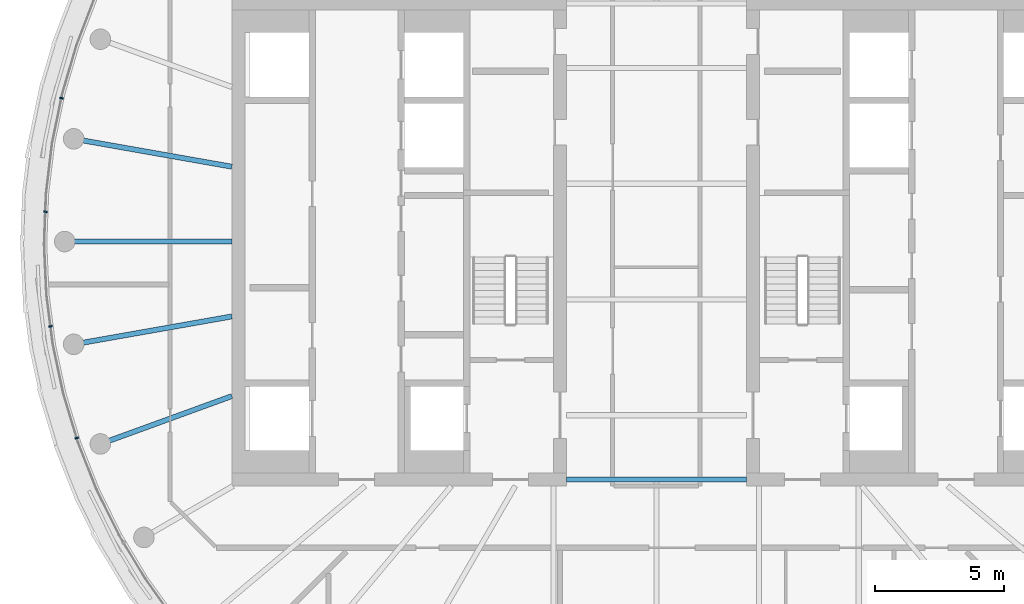
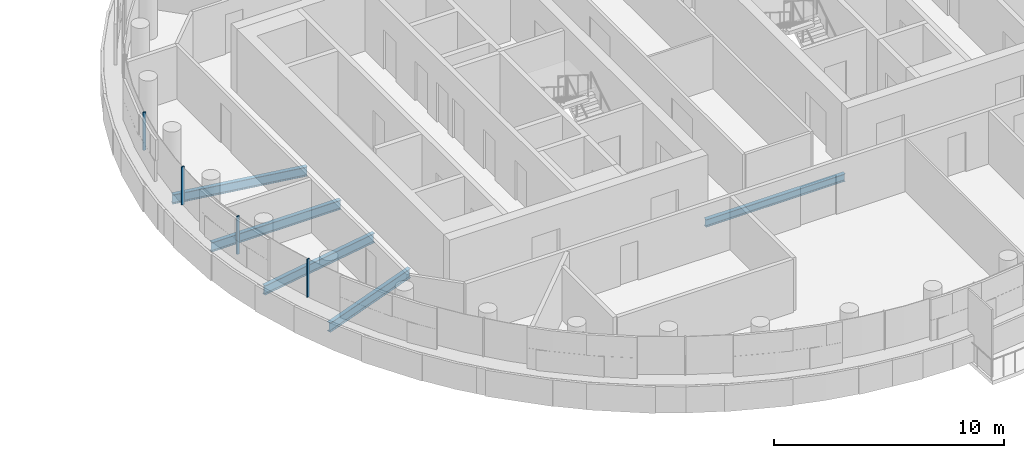
# One storey, part 3 of 20: 5 beams, 4 members, 1 element without a shape of its own.
"""IFC4 building model written with IfcOpenShell, lengths in metres."""

import ifcopenshell
import ifcopenshell.guid

model = None  # the IFC model being written
_history = None  # IfcOwnerHistory: only IFC2X3 demands one
_inside = {}  # id of a spatial element -> (the spatial element, [elements in it])
_under = {}  # id of a project, library or spatial element -> (it, [spatial elements below it])
_declared = {}  # id of a project -> (the project, [libraries it declares])
_typed = {}  # id of a type object -> (the type object, [elements of that type])
_made_of = {}  # id of a material, layer set ... -> (it, [elements and type objects made of it])


def new_model(schema):
    """Start an empty IFC model of exactly this schema.

    Asked for "IFC4X3", IfcOpenShell would pick the latest addendum, in which some entities
    have other attributes; the version numbers below select the first issue.
    IFC2X3 requires an IfcOwnerHistory on every rooted entity: one is made here for all.
    """
    global model, _history
    if schema == "IFC4X3":
        model = ifcopenshell.file(schema_version=(4, 3, 0, 0))
    else:
        model = ifcopenshell.file(schema=schema)
    _inside.clear()
    _under.clear()
    _declared.clear()
    _typed.clear()
    _made_of.clear()
    _history = None
    if model.schema == "IFC2X3":
        org = make("IfcOrganization", Name="unknown")
        user = make(
            "IfcPersonAndOrganization",
            ThePerson=make("IfcPerson", FamilyName="unknown"),
            TheOrganization=org,
        )
        app = make(
            "IfcApplication",
            ApplicationDeveloper=org,
            Version="unknown",
            ApplicationFullName="unknown",
            ApplicationIdentifier="unknown",
        )
        _history = make(
            "IfcOwnerHistory",
            OwningUser=user,
            OwningApplication=app,
            ChangeAction="ADDED",
            CreationDate=0,
        )
    return model


def make(cls, **values):
    """One entity of the class cls with the attributes given. An attribute that is None is left unset."""
    return model.create_entity(
        cls, **{name: value for name, value in values.items() if value is not None}
    )


def rooted(cls, **values):
    """An entity with a GlobalId (a new one), such as an element, a storey or a relation."""
    return make(cls, GlobalId=ifcopenshell.guid.new(), OwnerHistory=_history, **values)


def si_unit(unit_type, name, prefix=None):
    """IfcSIUnit, for example si_unit("LENGTHUNIT", "METRE", prefix="MILLI")."""
    return make("IfcSIUnit", UnitType=unit_type, Prefix=prefix, Name=name)


def assignment(units):
    """IfcUnitAssignment: the units of a project."""
    return None if units is None else make("IfcUnitAssignment", Units=units)


def point(xyz):
    """IfcCartesianPoint."""
    return None if xyz is None else make("IfcCartesianPoint", Coordinates=xyz)


def direction(xyz):
    """IfcDirection."""
    return None if xyz is None else make("IfcDirection", DirectionRatios=xyz)


def frame(location, z_axis=None, x_axis=None):
    """IfcAxis2Placement3D, a coordinate frame: its origin and axes. An axis left out is left unset."""
    return make(
        "IfcAxis2Placement3D",
        Location=point(location),
        Axis=direction(z_axis),
        RefDirection=direction(x_axis),
    )


def frame_2d(location, x_axis=None):
    """IfcAxis2Placement2D, a coordinate frame in the plane: its origin and x axis."""
    return make(
        "IfcAxis2Placement2D", Location=point(location), RefDirection=direction(x_axis)
    )


def origin():
    """The frame at (0, 0, 0) with its axes left unset."""
    return frame((0.0, 0.0, 0.0))


def origin_2d():
    """The frame at (0, 0) in the plane with its x axis left unset."""
    return frame_2d((0.0, 0.0))


def place(relative_to, where):
    """IfcLocalPlacement: puts the frame where relative to a parent placement (None: the world)."""
    return make(
        "IfcLocalPlacement", PlacementRelTo=relative_to, RelativePlacement=where
    )


def context(
    kind, dimensions, precision=None, world=None, true_north=None, identifier=None
):
    """IfcGeometricRepresentationContext, for example the 3D "Model" context."""
    return make(
        "IfcGeometricRepresentationContext",
        ContextIdentifier=identifier,
        ContextType=kind,
        CoordinateSpaceDimension=dimensions,
        Precision=precision,
        WorldCoordinateSystem=world,
        TrueNorth=true_north,
    )


def subcontext(parent, identifier, kind, view, scale=None):
    """IfcGeometricRepresentationSubContext, for example "Body" below "Model"."""
    return make(
        "IfcGeometricRepresentationSubContext",
        ContextIdentifier=identifier,
        ContextType=kind,
        ParentContext=parent,
        TargetScale=scale,
        TargetView=view,
    )


def project(units=None, contexts=None):
    """IfcProject with its units and contexts."""
    return rooted(
        "IfcProject",
        Name="project",
        RepresentationContexts=contexts,
        UnitsInContext=assignment(units),
    )


def spatial(cls, under=None, at=None, **own):
    """A site, building, storey or space (cls), placed at a placement, below another one or the project."""
    s = rooted(cls, ObjectPlacement=at, **own)
    if under is not None:
        _under.setdefault(under.id(), (under, []))[1].append(s)
    return s


def profile(cls, at=None, kind="AREA", **sizes):
    """A parametric profile (cls). Its sizes go by their IFC names, for example OverallWidth=200.0."""
    return make(cls, ProfileType=kind, Position=at, **sizes)


def rectangle(**sizes):
    """IfcRectangleProfileDef."""
    return profile("IfcRectangleProfileDef", **sizes)


def i_section(**sizes):
    """IfcIShapeProfileDef."""
    return profile("IfcIShapeProfileDef", **sizes)


def extrude(swept, where, along, depth):
    """IfcExtrudedAreaSolid: the profile swept, set in the frame where, extruded along a direction by depth."""
    return make(
        "IfcExtrudedAreaSolid",
        SweptArea=swept,
        Position=where,
        ExtrudedDirection=direction(along),
        Depth=depth,
    )


def shape(context_of_items, identifier, shape_type, items):
    """IfcShapeRepresentation: the items that make up one representation, for example the "Body"."""
    return make(
        "IfcShapeRepresentation",
        ContextOfItems=context_of_items,
        RepresentationIdentifier=identifier,
        RepresentationType=shape_type,
        Items=items,
    )


def material(Name=None, Category=None):
    """IfcMaterial."""
    return make("IfcMaterial", Name=Name, Category=Category)


def layer(
    of_material, thickness, ventilated=None, Name=None, Category=None, Priority=None
):
    """IfcMaterialLayer: one layer of a wall or slab, of a material (None: an air gap)."""
    return make(
        "IfcMaterialLayer",
        Material=of_material,
        LayerThickness=thickness,
        IsVentilated=ventilated,
        Name=Name,
        Category=Category,
        Priority=Priority,
    )


def layer_set(layers, Name=None):
    """IfcMaterialLayerSet."""
    return make("IfcMaterialLayerSet", MaterialLayers=layers, LayerSetName=Name)


def material_profile(
    of_material, cross_section, Name=None, Category=None, Priority=None
):
    """IfcMaterialProfile: a cross section and its material."""
    return make(
        "IfcMaterialProfile",
        Name=Name,
        Material=of_material,
        Profile=cross_section,
        Priority=Priority,
        Category=Category,
    )


def profile_set(profiles, Name=None, composite=None):
    """IfcMaterialProfileSet."""
    return make(
        "IfcMaterialProfileSet",
        Name=Name,
        MaterialProfiles=profiles,
        CompositeProfile=composite,
    )


def made_of(thing, what):
    """Note that an element or type object is made of a material, layer set ...; save() writes the relation."""
    if what is not None:
        _made_of.setdefault(what.id(), (what, []))[1].append(thing)
    return thing


def type_object(cls, material=None, **own):
    """A type object (cls), such as IfcWallType, which elements share."""
    return made_of(rooted(cls, **own), material)


def element(
    cls,
    number,
    at=None,
    inside=None,
    cuts=None,
    type_object=None,
    material=None,
    context=None,
    identifier="Body",
    shape_type=None,
    held_by="IfcProductDefinitionShape",
    body=None,
    shapes=None,
    **own,
):
    """One element of the class cls, such as IfcWall. Its Tag is "e" and its number.

    at: its placement. inside: the storey or other place that contains it. cuts: it is an
    opening in that element (IfcRelVoidsElement). A single representation is given by context,
    identifier, shape_type and body (its items); several are given by shapes. held_by: the class
    of the entity that holds the representations. save() writes the other relations.
    """
    e = rooted(cls, Tag="e%d" % number, ObjectPlacement=at, **own)
    if body is not None:
        shapes = [shape(context, identifier, shape_type, body)]
    if shapes is not None:
        e.Representation = make(held_by, Representations=shapes)
    if inside is not None:
        _inside.setdefault(inside.id(), (inside, []))[1].append(e)
    if cuts is not None:
        rooted(
            "IfcRelVoidsElement", RelatingBuildingElement=cuts, RelatedOpeningElement=e
        )
    if type_object is not None:
        _typed.setdefault(type_object.id(), (type_object, []))[1].append(e)
    return made_of(e, material)


def aggregate(whole, parts):
    """IfcRelAggregates: a whole, such as a stair, and the parts it consists of."""
    return rooted("IfcRelAggregates", RelatingObject=whole, RelatedObjects=parts)


def save(model, path):
    """Write the relations noted so far, then the file.

    IfcRelAggregates (storeys below a building ...), IfcRelContainedInSpatialStructure (elements
    in a storey), IfcRelDefinesByType, IfcRelAssociatesMaterial and IfcRelDeclares: one each for
    every whole, place, type object, material and project.
    """
    for whole, parts in _under.values():
        aggregate(whole, parts)
    for where, things in _inside.values():
        rooted(
            "IfcRelContainedInSpatialStructure",
            RelatedElements=things,
            RelatingStructure=where,
        )
    for kind, things in _typed.values():
        rooted("IfcRelDefinesByType", RelatedObjects=things, RelatingType=kind)
    for what, things in _made_of.values():
        rooted("IfcRelAssociatesMaterial", RelatedObjects=things, RelatingMaterial=what)
    for by, libraries in _declared.values():
        rooted("IfcRelDeclares", RelatingContext=by, RelatedDefinitions=libraries)
    model.write(path)


model = new_model("IFC4")

# Units and contexts
model_context = context("Model", 3, precision=1e-05, world=origin(), true_north=direction((0.0, 1.0)))
body_context = subcontext(model_context, "Body", "Model", "MODEL_VIEW")
ifc_project = project(units=[si_unit("LENGTHUNIT", "METRE"), si_unit("AREAUNIT", "SQUARE_METRE"), si_unit("VOLUMEUNIT", "CUBIC_METRE"), si_unit("PLANEANGLEUNIT", "RADIAN"), si_unit("MASSUNIT", "GRAM", prefix="KILO")], contexts=[model_context])

# Site, building, storey
site_placement = place(None, origin())
site = spatial("IfcSite", under=ifc_project, at=site_placement, CompositionType="ELEMENT")
building_placement = place(site_placement, origin())
building = spatial("IfcBuilding", under=site, at=building_placement, Name="Tamarind Cross Interchange Tower", CompositionType="ELEMENT")
storey_placement = place(building_placement, frame((0.0, 0.0, 274.800048828125)))
storey = spatial("IfcBuildingStorey", under=building, at=storey_placement, Name="L70", CompositionType="ELEMENT", Elevation=274.800048828125)

# Beams
ifc_material_1 = material(Name="Steel Q355B", Category="steel")
ifc_material_profile_1 = material_profile(ifc_material_1, i_section(OverallWidth=0.199951171875, OverallDepth=0.39990234375, WebThickness=0.008056640625, FlangeThickness=0.012939453125, FilletRadius=0.01611328125, at=origin_2d()), Name="HN 400x200x8x13")
ifc_profile_set_1 = profile_set([ifc_material_profile_1], Name="Steel Q355B")
beam_type_1 = type_object("IfcBeamType", Name="Composite beam HN 400x200x8x13 Q355B", PredefinedType="BEAM", material=ifc_profile_set_1)
beam_1_placement = place(storey_placement, frame((-3.5, -9.25, -0.340087890625), z_axis=(1.0, 0.0, 0.0), x_axis=(0.0, 1.0, 0.0)))
element("IfcBeam", 1, at=beam_1_placement, inside=storey, type_object=beam_type_1, Name="Beam G-9.25", PredefinedType="BEAM", context=body_context, shape_type="SweptSolid", body=[
    extrude(i_section(OverallWidth=0.199951171875, OverallDepth=0.39990234375, WebThickness=0.008056640625, FlangeThickness=0.012939453125, FilletRadius=0.01611328125, at=origin_2d()), origin(), (0.0, 0.0, 1.0), 7.0),
])
ifc_material_profile_2 = material_profile(ifc_material_1, i_section(OverallWidth=0.198974609375, OverallDepth=0.49609375, WebThickness=0.009033203125, FlangeThickness=0.013916015625, FilletRadius=0.012939453125, at=origin_2d()), Name="HN 496x199x9x14")
ifc_profile_set_2 = profile_set([ifc_material_profile_2], Name="Steel Q355B")
beam_type_2 = type_object("IfcBeamType", Name="Composite beam HN 496x199x9x14 Q355B", PredefinedType="BEAM", material=ifc_profile_set_2)
beam_2_placement = place(storey_placement, frame((-22.650634765625, 3.993896484375, -0.387939453125), z_axis=(0.984809127561, -0.173640382036, 0.0), x_axis=(0.173640382036, 0.984809127561, 0.0)))
element("IfcBeam", 2, at=beam_2_placement, inside=storey, type_object=beam_type_2, Name="Beam HH17", PredefinedType="BEAM", context=body_context, shape_type="SweptSolid", body=[
    extrude(i_section(OverallWidth=0.198974609375, OverallDepth=0.49609375, WebThickness=0.009033203125, FlangeThickness=0.013916015625, FilletRadius=0.012939453125, at=origin_2d()), origin(), (0.0, 0.0, 1.0), 6.24560546875),
])
beam_3_placement = place(storey_placement, frame((-23.0, 0.0, -0.387939453125), z_axis=(1.0, 0.0, 0.0), x_axis=(0.0, 1.0, 0.0)))
element("IfcBeam", 3, at=beam_3_placement, inside=storey, type_object=beam_type_2, Name="Beam HH18", PredefinedType="BEAM", context=body_context, shape_type="SweptSolid", body=[
    extrude(i_section(OverallWidth=0.198974609375, OverallDepth=0.49609375, WebThickness=0.009033203125, FlangeThickness=0.013916015625, FilletRadius=0.012939453125, at=origin_2d()), origin(), (0.0, 0.0, 1.0), 6.5),
])
beam_4_placement = place(storey_placement, frame((-22.650634765625, -3.993896484375, -0.387939453125), z_axis=(0.984809127561, 0.173640382036, 0.0), x_axis=(-0.173640382036, 0.984809127561, 0.0)))
element("IfcBeam", 4, at=beam_4_placement, inside=storey, type_object=beam_type_2, Name="Beam HH19", PredefinedType="BEAM", context=body_context, shape_type="SweptSolid", body=[
    extrude(i_section(OverallWidth=0.198974609375, OverallDepth=0.49609375, WebThickness=0.009033203125, FlangeThickness=0.013916015625, FilletRadius=0.012939453125, at=origin_2d()), origin(), (0.0, 0.0, 1.0), 6.24560546875),
])
beam_5_placement = place(storey_placement, frame((-21.613037109375, -7.866455078125, -0.387939453125), z_axis=(0.939701685589, 0.341995236956, 0.0), x_axis=(-0.341995236956, 0.939701685589, 0.0)))
element("IfcBeam", 5, at=beam_5_placement, inside=storey, type_object=beam_type_2, Name="Beam HH20", PredefinedType="BEAM", context=body_context, shape_type="SweptSolid", body=[
    extrude(i_section(OverallWidth=0.198974609375, OverallDepth=0.49609375, WebThickness=0.009033203125, FlangeThickness=0.013916015625, FilletRadius=0.012939453125, at=origin_2d()), origin(), (0.0, 0.0, 1.0), 5.441162109375),
])

# Curtain wall, members
ifc_material_2 = material(Name="Aluminium 6063-T6", Category="aluminium")
ifc_layer = layer(ifc_material_2, 0.139892578125)
ifc_layer_set = layer_set([ifc_layer], Name="Aluminium 6063-T6")
curtain_wall_type = type_object("IfcCurtainWallType", Name="Hotel curtain wall, 4.5 m bays", PredefinedType="NOTDEFINED", material=ifc_layer_set)
curtain_wall_placement = place(storey_placement, origin())
curtain_wall = element("IfcCurtainWall", 6, at=curtain_wall_placement, inside=storey, type_object=curtain_wall_type, Name="CWS-L70-01", PredefinedType="NOTDEFINED")
ifc_material_profile_3 = material_profile(ifc_material_2, rectangle(XDim=0.06005859375, YDim=0.139892578125, at=origin_2d()), Name="Mullion CW2")
ifc_profile_set_3 = profile_set([ifc_material_profile_3], Name="Aluminium 6063-T6")
member_type = type_object("IfcMemberType", Name="Mullion CW2", PredefinedType="MULLION", material=ifc_profile_set_3)
member_1_placement = place(storey_placement, frame((-23.126708984375, 5.575439453125, 1.39990234375), z_axis=(0.0, 0.0, 1.0), x_axis=(-0.201001463943, -0.9795909409, 0.0)))
member_1 = element("IfcMember", 7, at=member_1_placement, type_object=member_type, Name="CWM-L70-01-04", PredefinedType="MULLION", context=body_context, shape_type="SweptSolid", body=[
    extrude(rectangle(XDim=0.06005859375, YDim=0.139892578125, at=origin_2d()), origin(), (0.0, 0.0, 1.0), 2.02001953125),
])
member_2_placement = place(storey_placement, frame((-23.748779296875, 1.15966796875, 1.39990234375), z_axis=(0.0, 0.0, 1.0), x_axis=(-0.037024696392, -0.999314350871, 0.0)))
member_2 = element("IfcMember", 8, at=member_2_placement, type_object=member_type, Name="CWM-L70-01-05", PredefinedType="MULLION", context=body_context, shape_type="SweptSolid", body=[
    extrude(rectangle(XDim=0.06005859375, YDim=0.139892578125, at=origin_2d()), origin(), (0.0, 0.0, 1.0), 2.02001953125),
])
member_3_placement = place(storey_placement, frame((-23.54736328125, -3.29443359375, 1.39990234375), z_axis=(0.0, 0.0, 1.0), x_axis=(0.127962008342, -0.991779070368, 0.0)))
member_3 = element("IfcMember", 9, at=member_3_placement, type_object=member_type, Name="CWM-L70-01-06", PredefinedType="MULLION", context=body_context, shape_type="SweptSolid", body=[
    extrude(rectangle(XDim=0.06005859375, YDim=0.139892578125, at=origin_2d()), origin(), (0.0, 0.0, 1.0), 2.02001953125),
])
member_4_placement = place(storey_placement, frame((-22.529541015625, -7.635986328125, 1.39990234375), z_axis=(0.0, 0.0, 1.0), x_axis=(0.289458243079, -0.957190642199, 0.0)))
member_4 = element("IfcMember", 10, at=member_4_placement, type_object=member_type, Name="CWM-L70-01-07", PredefinedType="MULLION", context=body_context, shape_type="SweptSolid", body=[
    extrude(rectangle(XDim=0.06005859375, YDim=0.139892578125, at=origin_2d()), origin(), (0.0, 0.0, 1.0), 2.02001953125),
])
aggregate(curtain_wall, [member_1, member_2, member_3, member_4])

save(model, "model.ifc")
